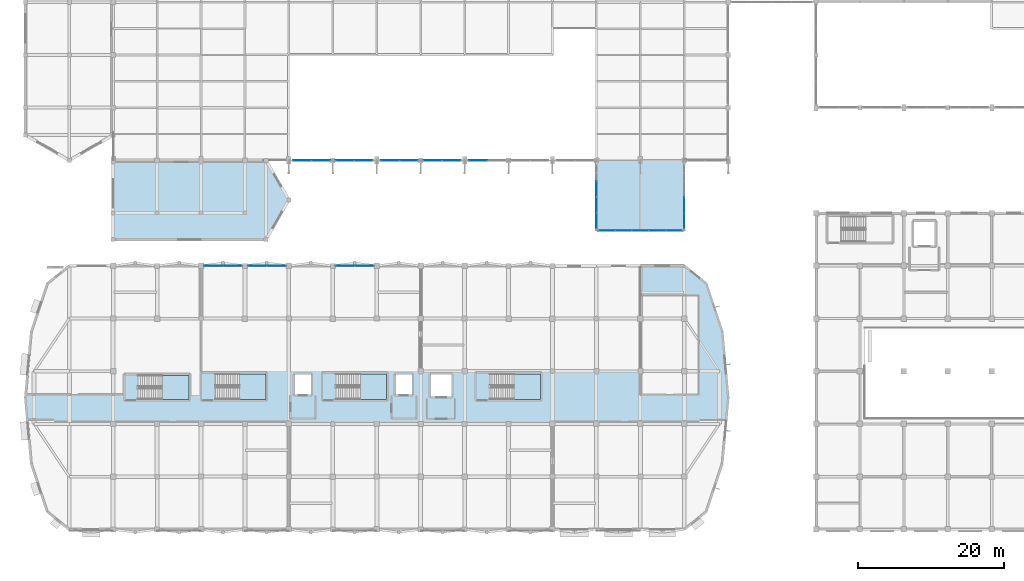
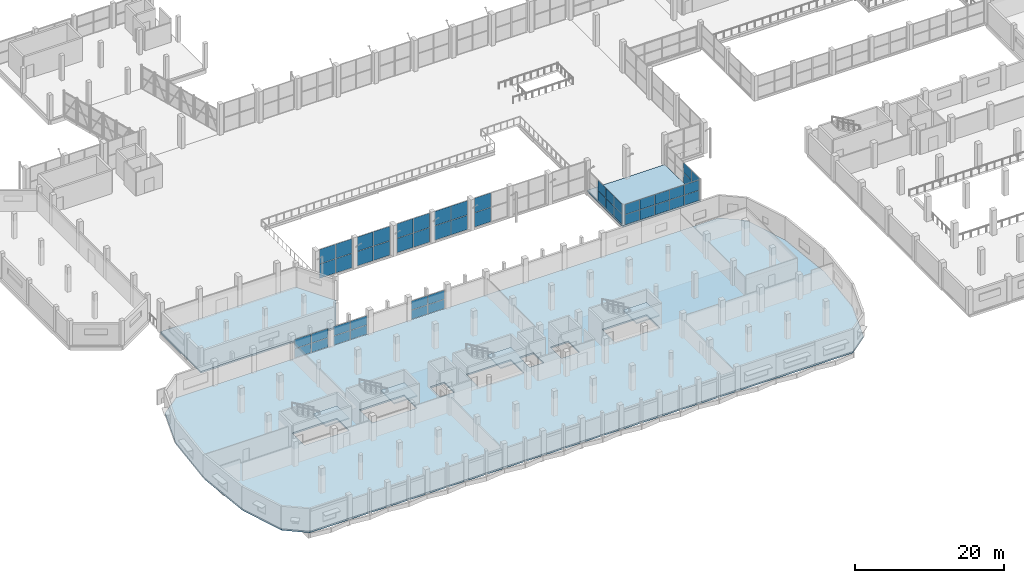
# One storey, part 94 of 127: 50 plates, 7 slabs, 15 elements without a shape of their own.
"""IFC4 building model written with IfcOpenShell, lengths in metres."""

from ifc_helpers import new_model, si_unit, direction, frame, origin, origin_2d, place, context, subcontext, project, spatial, polyline, rectangle, outline, extrude, material, layer, layer_set, type_object, element, aggregate, save


model = new_model("IFC4")

# Units and contexts
model_context = context("Model", 3, precision=1e-05, world=origin(), true_north=direction((0.0, 1.0)))
body_context = subcontext(model_context, "Body", "Model", "MODEL_VIEW")
ifc_project = project(units=[si_unit("LENGTHUNIT", "METRE"), si_unit("AREAUNIT", "SQUARE_METRE"), si_unit("VOLUMEUNIT", "CUBIC_METRE"), si_unit("PLANEANGLEUNIT", "RADIAN"), si_unit("MASSUNIT", "GRAM", prefix="KILO")], contexts=[model_context])

# Site, building, storey
site_placement = place(None, origin())
site = spatial("IfcSite", under=ifc_project, at=site_placement, CompositionType="ELEMENT")
building_placement = place(site_placement, origin())
building = spatial("IfcBuilding", under=site, at=building_placement, Name="Dunvalen Ferry Terminal", CompositionType="ELEMENT")
storey_placement = place(building_placement, frame((0.0, 0.0, 5.760009765625)))
storey = spatial("IfcBuildingStorey", under=building, at=storey_placement, Name="L01", CompositionType="ELEMENT", Elevation=5.760009765625)

# Curtain wall, plates
ifc_material_1 = material(Name="Anodised marine aluminium and solar-control glazing", Category="aluminium")
ifc_layer_1 = layer(ifc_material_1, 0.219970703125, Name="Anodised marine aluminium and solar-control glazing")
ifc_layer_set_1 = layer_set([ifc_layer_1], Name="Anodised marine aluminium and solar-control glazing")
curtain_wall_type_1 = type_object("IfcCurtainWallType", Name="ENV-CW-SYS-02", PredefinedType="NOTDEFINED", material=ifc_layer_set_1)
curtain_wall_1_placement = place(storey_placement, origin())
curtain_wall_1 = element("IfcCurtainWall", 1, at=curtain_wall_1_placement, inside=storey, type_object=curtain_wall_type_1, Name="L01 Curtain Wall CW-V1S-L01-01", PredefinedType="NOTDEFINED")
ifc_material_2 = material(Name="Low-E solar-control laminated double glazing", Category="glass")
ifc_layer_2 = layer(ifc_material_2, 0.031982421875, Name="Low-E solar-control laminated double glazing")
ifc_layer_set_2 = layer_set([ifc_layer_2], Name="Low-E solar-control laminated double glazing")
plate_type_1 = type_object("IfcPlateType", Name="ENV-CW-PNL-2", PredefinedType="CURTAIN_PANEL", material=ifc_layer_set_2)
plate_1_placement = place(storey_placement, frame((37.808837890625, 50.39990234375, 0.079833984375), z_axis=(0.0, 0.0, 1.0), x_axis=(1.0, 0.0, 0.0)))
plate_1 = element("IfcPlate", 2, at=plate_1_placement, type_object=plate_type_1, Name="CW-02 panel 1.1", PredefinedType="CURTAIN_PANEL", context=body_context, shape_type="SweptSolid", body=[
    extrude(rectangle(XDim=2.49755859375, YDim=0.031982421875, at=origin_2d()), origin(), (0.0, 0.0, 1.0), 2.330078125),
])
plate_2_placement = place(storey_placement, frame((37.808837890625, 50.39990234375, 2.469970703125), z_axis=(0.0, 0.0, 1.0), x_axis=(1.0, 0.0, 0.0)))
plate_2 = element("IfcPlate", 3, at=plate_2_placement, type_object=plate_type_1, Name="CW-02 panel 1.2", PredefinedType="CURTAIN_PANEL", context=body_context, shape_type="SweptSolid", body=[
    extrude(rectangle(XDim=2.49755859375, YDim=0.031982421875, at=origin_2d()), origin(), (0.0, 0.0, 1.0), 2.330078125),
])
plate_3_placement = place(storey_placement, frame((40.3662109375, 50.39990234375, 0.079833984375), z_axis=(0.0, 0.0, 1.0), x_axis=(1.0, 0.0, 0.0)))
plate_3 = element("IfcPlate", 4, at=plate_3_placement, type_object=plate_type_1, Name="CW-02 panel 2.1", PredefinedType="CURTAIN_PANEL", context=body_context, shape_type="SweptSolid", body=[
    extrude(rectangle(XDim=2.49755859375, YDim=0.031982421875, at=origin_2d()), origin(), (0.0, 0.0, 1.0), 2.330078125),
])
plate_4_placement = place(storey_placement, frame((40.3662109375, 50.39990234375, 2.469970703125), z_axis=(0.0, 0.0, 1.0), x_axis=(1.0, 0.0, 0.0)))
plate_4 = element("IfcPlate", 5, at=plate_4_placement, type_object=plate_type_1, Name="CW-02 panel 2.2", PredefinedType="CURTAIN_PANEL", context=body_context, shape_type="SweptSolid", body=[
    extrude(rectangle(XDim=2.49755859375, YDim=0.031982421875, at=origin_2d()), origin(), (0.0, 0.0, 1.0), 2.330078125),
])
aggregate(curtain_wall_1, [plate_1, plate_2, plate_3, plate_4])

curtain_wall_2_placement = place(storey_placement, origin())
curtain_wall_2 = element("IfcCurtainWall", 6, at=curtain_wall_2_placement, inside=storey, type_object=curtain_wall_type_1, Name="L01 Curtain Wall CW-V1S-L01-02", PredefinedType="NOTDEFINED")
plate_5_placement = place(storey_placement, frame((43.6337890625, 50.39990234375, 0.079833984375), z_axis=(0.0, 0.0, 1.0), x_axis=(1.0, 0.0, 0.0)))
plate_5 = element("IfcPlate", 7, at=plate_5_placement, type_object=plate_type_1, Name="CW-02 panel 1.1", PredefinedType="CURTAIN_PANEL", context=body_context, shape_type="SweptSolid", body=[
    extrude(rectangle(XDim=2.49755859375, YDim=0.031982421875, at=origin_2d()), origin(), (0.0, 0.0, 1.0), 2.330078125),
])
plate_6_placement = place(storey_placement, frame((43.6337890625, 50.39990234375, 2.469970703125), z_axis=(0.0, 0.0, 1.0), x_axis=(1.0, 0.0, 0.0)))
plate_6 = element("IfcPlate", 8, at=plate_6_placement, type_object=plate_type_1, Name="CW-02 panel 1.2", PredefinedType="CURTAIN_PANEL", context=body_context, shape_type="SweptSolid", body=[
    extrude(rectangle(XDim=2.49755859375, YDim=0.031982421875, at=origin_2d()), origin(), (0.0, 0.0, 1.0), 2.330078125),
])
plate_7_placement = place(storey_placement, frame((46.191162109375, 50.39990234375, 0.079833984375), z_axis=(0.0, 0.0, 1.0), x_axis=(1.0, 0.0, 0.0)))
plate_7 = element("IfcPlate", 9, at=plate_7_placement, type_object=plate_type_1, Name="CW-02 panel 2.1", PredefinedType="CURTAIN_PANEL", context=body_context, shape_type="SweptSolid", body=[
    extrude(rectangle(XDim=2.49755859375, YDim=0.031982421875, at=origin_2d()), origin(), (0.0, 0.0, 1.0), 2.330078125),
])
plate_8_placement = place(storey_placement, frame((46.191162109375, 50.39990234375, 2.469970703125), z_axis=(0.0, 0.0, 1.0), x_axis=(1.0, 0.0, 0.0)))
plate_8 = element("IfcPlate", 10, at=plate_8_placement, type_object=plate_type_1, Name="CW-02 panel 2.2", PredefinedType="CURTAIN_PANEL", context=body_context, shape_type="SweptSolid", body=[
    extrude(rectangle(XDim=2.49755859375, YDim=0.031982421875, at=origin_2d()), origin(), (0.0, 0.0, 1.0), 2.330078125),
])
aggregate(curtain_wall_2, [plate_5, plate_6, plate_7, plate_8])

curtain_wall_3_placement = place(storey_placement, origin())
curtain_wall_3 = element("IfcCurtainWall", 11, at=curtain_wall_3_placement, inside=storey, type_object=curtain_wall_type_1, Name="L01 Curtain Wall CW-V1S-L01-03", PredefinedType="NOTDEFINED")
plate_9_placement = place(storey_placement, frame((49.808837890625, 50.39990234375, 0.079833984375), z_axis=(0.0, 0.0, 1.0), x_axis=(1.0, 0.0, 0.0)))
plate_9 = element("IfcPlate", 12, at=plate_9_placement, type_object=plate_type_1, Name="CW-02 panel 1.1", PredefinedType="CURTAIN_PANEL", context=body_context, shape_type="SweptSolid", body=[
    extrude(rectangle(XDim=2.49755859375, YDim=0.031982421875, at=origin_2d()), origin(), (0.0, 0.0, 1.0), 2.330078125),
])
plate_10_placement = place(storey_placement, frame((49.808837890625, 50.39990234375, 2.469970703125), z_axis=(0.0, 0.0, 1.0), x_axis=(1.0, 0.0, 0.0)))
plate_10 = element("IfcPlate", 13, at=plate_10_placement, type_object=plate_type_1, Name="CW-02 panel 1.2", PredefinedType="CURTAIN_PANEL", context=body_context, shape_type="SweptSolid", body=[
    extrude(rectangle(XDim=2.49755859375, YDim=0.031982421875, at=origin_2d()), origin(), (0.0, 0.0, 1.0), 2.330078125),
])
plate_11_placement = place(storey_placement, frame((52.3662109375, 50.39990234375, 0.079833984375), z_axis=(0.0, 0.0, 1.0), x_axis=(1.0, 0.0, 0.0)))
plate_11 = element("IfcPlate", 14, at=plate_11_placement, type_object=plate_type_1, Name="CW-02 panel 2.1", PredefinedType="CURTAIN_PANEL", context=body_context, shape_type="SweptSolid", body=[
    extrude(rectangle(XDim=2.49755859375, YDim=0.031982421875, at=origin_2d()), origin(), (0.0, 0.0, 1.0), 2.330078125),
])
plate_12_placement = place(storey_placement, frame((52.3662109375, 50.39990234375, 2.469970703125), z_axis=(0.0, 0.0, 1.0), x_axis=(1.0, 0.0, 0.0)))
plate_12 = element("IfcPlate", 15, at=plate_12_placement, type_object=plate_type_1, Name="CW-02 panel 2.2", PredefinedType="CURTAIN_PANEL", context=body_context, shape_type="SweptSolid", body=[
    extrude(rectangle(XDim=2.49755859375, YDim=0.031982421875, at=origin_2d()), origin(), (0.0, 0.0, 1.0), 2.330078125),
])
aggregate(curtain_wall_3, [plate_9, plate_10, plate_11, plate_12])

curtain_wall_4_placement = place(storey_placement, origin())
curtain_wall_4 = element("IfcCurtainWall", 16, at=curtain_wall_4_placement, inside=storey, type_object=curtain_wall_type_1, Name="L01 Curtain Wall CW-V1S-L01-04", PredefinedType="NOTDEFINED")
plate_13_placement = place(storey_placement, frame((55.6337890625, 50.39990234375, 0.079833984375), z_axis=(0.0, 0.0, 1.0), x_axis=(1.0, 0.0, 0.0)))
plate_13 = element("IfcPlate", 17, at=plate_13_placement, type_object=plate_type_1, Name="CW-02 panel 1.1", PredefinedType="CURTAIN_PANEL", context=body_context, shape_type="SweptSolid", body=[
    extrude(rectangle(XDim=2.49755859375, YDim=0.031982421875, at=origin_2d()), origin(), (0.0, 0.0, 1.0), 2.330078125),
])
plate_14_placement = place(storey_placement, frame((55.6337890625, 50.39990234375, 2.469970703125), z_axis=(0.0, 0.0, 1.0), x_axis=(1.0, 0.0, 0.0)))
plate_14 = element("IfcPlate", 18, at=plate_14_placement, type_object=plate_type_1, Name="CW-02 panel 1.2", PredefinedType="CURTAIN_PANEL", context=body_context, shape_type="SweptSolid", body=[
    extrude(rectangle(XDim=2.49755859375, YDim=0.031982421875, at=origin_2d()), origin(), (0.0, 0.0, 1.0), 2.330078125),
])
plate_15_placement = place(storey_placement, frame((58.191162109375, 50.39990234375, 0.079833984375), z_axis=(0.0, 0.0, 1.0), x_axis=(1.0, 0.0, 0.0)))
plate_15 = element("IfcPlate", 19, at=plate_15_placement, type_object=plate_type_1, Name="CW-02 panel 2.1", PredefinedType="CURTAIN_PANEL", context=body_context, shape_type="SweptSolid", body=[
    extrude(rectangle(XDim=2.49755859375, YDim=0.031982421875, at=origin_2d()), origin(), (0.0, 0.0, 1.0), 2.330078125),
])
plate_16_placement = place(storey_placement, frame((58.191162109375, 50.39990234375, 2.469970703125), z_axis=(0.0, 0.0, 1.0), x_axis=(1.0, 0.0, 0.0)))
plate_16 = element("IfcPlate", 20, at=plate_16_placement, type_object=plate_type_1, Name="CW-02 panel 2.2", PredefinedType="CURTAIN_PANEL", context=body_context, shape_type="SweptSolid", body=[
    extrude(rectangle(XDim=2.49755859375, YDim=0.031982421875, at=origin_2d()), origin(), (0.0, 0.0, 1.0), 2.330078125),
])
aggregate(curtain_wall_4, [plate_13, plate_14, plate_15, plate_16])

curtain_wall_5_placement = place(storey_placement, origin())
curtain_wall_5 = element("IfcCurtainWall", 21, at=curtain_wall_5_placement, inside=storey, type_object=curtain_wall_type_1, Name="L01 Curtain Wall CW-V1S-L01-05", PredefinedType="NOTDEFINED")
plate_17_placement = place(storey_placement, frame((61.808837890625, 50.39990234375, 0.079833984375), z_axis=(0.0, 0.0, 1.0), x_axis=(1.0, 0.0, 0.0)))
plate_17 = element("IfcPlate", 22, at=plate_17_placement, type_object=plate_type_1, Name="CW-02 panel 1.1", PredefinedType="CURTAIN_PANEL", context=body_context, shape_type="SweptSolid", body=[
    extrude(rectangle(XDim=2.49755859375, YDim=0.031982421875, at=origin_2d()), origin(), (0.0, 0.0, 1.0), 2.330078125),
])
plate_18_placement = place(storey_placement, frame((61.808837890625, 50.39990234375, 2.469970703125), z_axis=(0.0, 0.0, 1.0), x_axis=(1.0, 0.0, 0.0)))
plate_18 = element("IfcPlate", 23, at=plate_18_placement, type_object=plate_type_1, Name="CW-02 panel 1.2", PredefinedType="CURTAIN_PANEL", context=body_context, shape_type="SweptSolid", body=[
    extrude(rectangle(XDim=2.49755859375, YDim=0.031982421875, at=origin_2d()), origin(), (0.0, 0.0, 1.0), 2.330078125),
])
aggregate(curtain_wall_5, [plate_17, plate_18])

ifc_layer_3 = layer(ifc_material_1, 0.14990234375, Name="Anodised marine aluminium and solar-control glazing")
ifc_layer_set_3 = layer_set([ifc_layer_3], Name="Anodised marine aluminium and solar-control glazing")
curtain_wall_type_2 = type_object("IfcCurtainWallType", Name="ENV-CW-SYS-11", PredefinedType="NOTDEFINED", material=ifc_layer_set_3)
curtain_wall_6_placement = place(storey_placement, origin())
curtain_wall_6 = element("IfcCurtainWall", 24, at=curtain_wall_6_placement, inside=storey, type_object=curtain_wall_type_2, Name="L01 Curtain Wall CW-V5CORE-L01-7-7", PredefinedType="NOTDEFINED")
plate_19_placement = place(storey_placement, frame((46.30615234375, 36.0, 0.05517578125), z_axis=(0.0, 0.0, 1.0), x_axis=(-1.0, 0.0, 0.0)))
plate_19 = element("IfcPlate", 25, at=plate_19_placement, type_object=plate_type_1, Name="CW-11 panel 1.1", PredefinedType="CURTAIN_PANEL", context=body_context, shape_type="SweptSolid", body=[
    extrude(rectangle(XDim=2.5576171875, YDim=0.031982421875, at=origin_2d()), origin(), (0.0, 0.0, 1.0), 1.472412109375),
])
plate_20_placement = place(storey_placement, frame((46.30615234375, 36.0, 1.58251953125), z_axis=(0.0, 0.0, 1.0), x_axis=(-1.0, 0.0, 0.0)))
plate_20 = element("IfcPlate", 26, at=plate_20_placement, type_object=plate_type_1, Name="CW-11 panel 1.2", PredefinedType="CURTAIN_PANEL", context=body_context, shape_type="SweptSolid", body=[
    extrude(rectangle(XDim=2.5576171875, YDim=0.031982421875, at=origin_2d()), origin(), (0.0, 0.0, 1.0), 1.472412109375),
])
plate_21_placement = place(storey_placement, frame((43.69384765625, 36.0, 0.05517578125), z_axis=(0.0, 0.0, 1.0), x_axis=(-1.0, 0.0, 0.0)))
plate_21 = element("IfcPlate", 27, at=plate_21_placement, type_object=plate_type_1, Name="CW-11 panel 2.1", PredefinedType="CURTAIN_PANEL", context=body_context, shape_type="SweptSolid", body=[
    extrude(rectangle(XDim=2.5576171875, YDim=0.031982421875, at=origin_2d()), origin(), (0.0, 0.0, 1.0), 1.472412109375),
])
plate_22_placement = place(storey_placement, frame((43.69384765625, 36.0, 1.58251953125), z_axis=(0.0, 0.0, 1.0), x_axis=(-1.0, 0.0, 0.0)))
plate_22 = element("IfcPlate", 28, at=plate_22_placement, type_object=plate_type_1, Name="CW-11 panel 2.2", PredefinedType="CURTAIN_PANEL", context=body_context, shape_type="SweptSolid", body=[
    extrude(rectangle(XDim=2.5576171875, YDim=0.031982421875, at=origin_2d()), origin(), (0.0, 0.0, 1.0), 1.472412109375),
])
aggregate(curtain_wall_6, [plate_19, plate_20, plate_21, plate_22])

curtain_wall_7_placement = place(storey_placement, origin())
curtain_wall_7 = element("IfcCurtainWall", 29, at=curtain_wall_7_placement, inside=storey, type_object=curtain_wall_type_2, Name="L01 Curtain Wall CW-V5CORE-L01-7-9", PredefinedType="NOTDEFINED")
plate_23_placement = place(storey_placement, frame((34.30615234375, 36.0, 0.05517578125), z_axis=(0.0, 0.0, 1.0), x_axis=(-1.0, 0.0, 0.0)))
plate_23 = element("IfcPlate", 30, at=plate_23_placement, type_object=plate_type_1, Name="CW-11 panel 1.1", PredefinedType="CURTAIN_PANEL", context=body_context, shape_type="SweptSolid", body=[
    extrude(rectangle(XDim=2.5576171875, YDim=0.031982421875, at=origin_2d()), origin(), (0.0, 0.0, 1.0), 1.472412109375),
])
plate_24_placement = place(storey_placement, frame((34.30615234375, 36.0, 1.58251953125), z_axis=(0.0, 0.0, 1.0), x_axis=(-1.0, 0.0, 0.0)))
plate_24 = element("IfcPlate", 31, at=plate_24_placement, type_object=plate_type_1, Name="CW-11 panel 1.2", PredefinedType="CURTAIN_PANEL", context=body_context, shape_type="SweptSolid", body=[
    extrude(rectangle(XDim=2.5576171875, YDim=0.031982421875, at=origin_2d()), origin(), (0.0, 0.0, 1.0), 1.472412109375),
])
plate_25_placement = place(storey_placement, frame((31.69384765625, 36.0, 0.05517578125), z_axis=(0.0, 0.0, 1.0), x_axis=(-1.0, 0.0, 0.0)))
plate_25 = element("IfcPlate", 32, at=plate_25_placement, type_object=plate_type_1, Name="CW-11 panel 2.1", PredefinedType="CURTAIN_PANEL", context=body_context, shape_type="SweptSolid", body=[
    extrude(rectangle(XDim=2.5576171875, YDim=0.031982421875, at=origin_2d()), origin(), (0.0, 0.0, 1.0), 1.472412109375),
])
plate_26_placement = place(storey_placement, frame((31.69384765625, 36.0, 1.58251953125), z_axis=(0.0, 0.0, 1.0), x_axis=(-1.0, 0.0, 0.0)))
plate_26 = element("IfcPlate", 33, at=plate_26_placement, type_object=plate_type_1, Name="CW-11 panel 2.2", PredefinedType="CURTAIN_PANEL", context=body_context, shape_type="SweptSolid", body=[
    extrude(rectangle(XDim=2.5576171875, YDim=0.031982421875, at=origin_2d()), origin(), (0.0, 0.0, 1.0), 1.472412109375),
])
aggregate(curtain_wall_7, [plate_23, plate_24, plate_25, plate_26])

curtain_wall_8_placement = place(storey_placement, origin())
curtain_wall_8 = element("IfcCurtainWall", 34, at=curtain_wall_8_placement, inside=storey, type_object=curtain_wall_type_2, Name="L01 Curtain Wall CW-V5CORE-L01-7-10", PredefinedType="NOTDEFINED")
plate_27_placement = place(storey_placement, frame((28.30615234375, 36.0, 0.05517578125), z_axis=(0.0, 0.0, 1.0), x_axis=(-1.0, 0.0, 0.0)))
plate_27 = element("IfcPlate", 35, at=plate_27_placement, type_object=plate_type_1, Name="CW-11 panel 1.1", PredefinedType="CURTAIN_PANEL", context=body_context, shape_type="SweptSolid", body=[
    extrude(rectangle(XDim=2.5576171875, YDim=0.031982421875, at=origin_2d()), origin(), (0.0, 0.0, 1.0), 1.472412109375),
])
plate_28_placement = place(storey_placement, frame((28.30615234375, 36.0, 1.58251953125), z_axis=(0.0, 0.0, 1.0), x_axis=(-1.0, 0.0, 0.0)))
plate_28 = element("IfcPlate", 36, at=plate_28_placement, type_object=plate_type_1, Name="CW-11 panel 1.2", PredefinedType="CURTAIN_PANEL", context=body_context, shape_type="SweptSolid", body=[
    extrude(rectangle(XDim=2.5576171875, YDim=0.031982421875, at=origin_2d()), origin(), (0.0, 0.0, 1.0), 1.472412109375),
])
plate_29_placement = place(storey_placement, frame((25.69384765625, 36.0, 0.05517578125), z_axis=(0.0, 0.0, 1.0), x_axis=(-1.0, 0.0, 0.0)))
plate_29 = element("IfcPlate", 37, at=plate_29_placement, type_object=plate_type_1, Name="CW-11 panel 2.1", PredefinedType="CURTAIN_PANEL", context=body_context, shape_type="SweptSolid", body=[
    extrude(rectangle(XDim=2.5576171875, YDim=0.031982421875, at=origin_2d()), origin(), (0.0, 0.0, 1.0), 1.472412109375),
])
plate_30_placement = place(storey_placement, frame((25.69384765625, 36.0, 1.58251953125), z_axis=(0.0, 0.0, 1.0), x_axis=(-1.0, 0.0, 0.0)))
plate_30 = element("IfcPlate", 38, at=plate_30_placement, type_object=plate_type_1, Name="CW-11 panel 2.2", PredefinedType="CURTAIN_PANEL", context=body_context, shape_type="SweptSolid", body=[
    extrude(rectangle(XDim=2.5576171875, YDim=0.031982421875, at=origin_2d()), origin(), (0.0, 0.0, 1.0), 1.472412109375),
])
aggregate(curtain_wall_8, [plate_27, plate_28, plate_29, plate_30])

ifc_layer_4 = layer(ifc_material_1, 0.159912109375, Name="Anodised marine aluminium and solar-control glazing")
ifc_layer_set_4 = layer_set([ifc_layer_4], Name="Anodised marine aluminium and solar-control glazing")
curtain_wall_type_3 = type_object("IfcCurtainWallType", Name="ENV-CW-SYS-10", PredefinedType="NOTDEFINED", material=ifc_layer_set_4)
curtain_wall_9_placement = place(storey_placement, origin())
curtain_wall_9 = element("IfcCurtainWall", 39, at=curtain_wall_9_placement, inside=storey, type_object=curtain_wall_type_3, Name="L01 Curtain Wall CW-LNK51-1", PredefinedType="NOTDEFINED")
ifc_layer_5 = layer(ifc_material_2, 0.035888671875, Name="Low-E solar-control laminated double glazing")
ifc_layer_set_5 = layer_set([ifc_layer_5], Name="Low-E solar-control laminated double glazing")
plate_type_2 = type_object("IfcPlateType", Name="ENV-CW-PNL-3", PredefinedType="CURTAIN_PANEL", material=ifc_layer_set_5)
plate_31_placement = place(storey_placement, frame((78.0, 42.152587890625, 0.06005859375), z_axis=(0.0, 0.0, 1.0), x_axis=(0.0, 1.0, 0.0)))
plate_31 = element("IfcPlate", 40, at=plate_31_placement, type_object=plate_type_2, Name="CW-10 panel 1.1", PredefinedType="CURTAIN_PANEL", context=body_context, shape_type="SweptSolid", body=[
    extrude(rectangle(XDim=2.0849609375, YDim=0.035888671875, at=origin_2d()), origin(), (0.0, 0.0, 1.0), 1.6298828125),
])
plate_32_placement = place(storey_placement, frame((78.0, 42.152587890625, 1.75), z_axis=(0.0, 0.0, 1.0), x_axis=(0.0, 1.0, 0.0)))
plate_32 = element("IfcPlate", 41, at=plate_32_placement, type_object=plate_type_2, Name="CW-10 panel 1.2", PredefinedType="CURTAIN_PANEL", context=body_context, shape_type="SweptSolid", body=[
    extrude(rectangle(XDim=2.0849609375, YDim=0.035888671875, at=origin_2d()), origin(), (0.0, 0.0, 1.0), 1.6298828125),
])
plate_33_placement = place(storey_placement, frame((78.0, 44.3125, 0.06005859375), z_axis=(0.0, 0.0, 1.0), x_axis=(0.0, 1.0, 0.0)))
plate_33 = element("IfcPlate", 42, at=plate_33_placement, type_object=plate_type_2, Name="CW-10 panel 2.1", PredefinedType="CURTAIN_PANEL", context=body_context, shape_type="SweptSolid", body=[
    extrude(rectangle(XDim=2.114990234375, YDim=0.035888671875, at=origin_2d()), origin(), (0.0, 0.0, 1.0), 1.6298828125),
])
plate_34_placement = place(storey_placement, frame((78.0, 44.3125, 1.75), z_axis=(0.0, 0.0, 1.0), x_axis=(0.0, 1.0, 0.0)))
plate_34 = element("IfcPlate", 43, at=plate_34_placement, type_object=plate_type_2, Name="CW-10 panel 2.2", PredefinedType="CURTAIN_PANEL", context=body_context, shape_type="SweptSolid", body=[
    extrude(rectangle(XDim=2.114990234375, YDim=0.035888671875, at=origin_2d()), origin(), (0.0, 0.0, 1.0), 1.6298828125),
])
plate_35_placement = place(storey_placement, frame((78.0, 46.487548828125, 0.06005859375), z_axis=(0.0, 0.0, 1.0), x_axis=(0.0, 1.0, 0.0)))
plate_35 = element("IfcPlate", 44, at=plate_35_placement, type_object=plate_type_2, Name="CW-10 panel 3.1", PredefinedType="CURTAIN_PANEL", context=body_context, shape_type="SweptSolid", body=[
    extrude(rectangle(XDim=2.114990234375, YDim=0.035888671875, at=origin_2d()), origin(), (0.0, 0.0, 1.0), 1.6298828125),
])
plate_36_placement = place(storey_placement, frame((78.0, 46.487548828125, 1.75), z_axis=(0.0, 0.0, 1.0), x_axis=(0.0, 1.0, 0.0)))
plate_36 = element("IfcPlate", 45, at=plate_36_placement, type_object=plate_type_2, Name="CW-10 panel 3.2", PredefinedType="CURTAIN_PANEL", context=body_context, shape_type="SweptSolid", body=[
    extrude(rectangle(XDim=2.114990234375, YDim=0.035888671875, at=origin_2d()), origin(), (0.0, 0.0, 1.0), 1.6298828125),
])
aggregate(curtain_wall_9, [plate_31, plate_32, plate_33, plate_34, plate_35, plate_36])

curtain_wall_10_placement = place(storey_placement, origin())
curtain_wall_10 = element("IfcCurtainWall", 46, at=curtain_wall_10_placement, inside=storey, type_object=curtain_wall_type_3, Name="L01 Curtain Wall CW-LNK51-2", PredefinedType="NOTDEFINED")
plate_37_placement = place(storey_placement, frame((90.0, 42.152587890625, 0.06005859375), z_axis=(0.0, 0.0, 1.0), x_axis=(0.0, 1.0, 0.0)))
plate_37 = element("IfcPlate", 47, at=plate_37_placement, type_object=plate_type_2, Name="CW-10 panel 1.1", PredefinedType="CURTAIN_PANEL", context=body_context, shape_type="SweptSolid", body=[
    extrude(rectangle(XDim=2.0849609375, YDim=0.035888671875, at=origin_2d()), origin(), (0.0, 0.0, 1.0), 1.6298828125),
])
plate_38_placement = place(storey_placement, frame((90.0, 42.152587890625, 1.75), z_axis=(0.0, 0.0, 1.0), x_axis=(0.0, 1.0, 0.0)))
plate_38 = element("IfcPlate", 48, at=plate_38_placement, type_object=plate_type_2, Name="CW-10 panel 1.2", PredefinedType="CURTAIN_PANEL", context=body_context, shape_type="SweptSolid", body=[
    extrude(rectangle(XDim=2.0849609375, YDim=0.035888671875, at=origin_2d()), origin(), (0.0, 0.0, 1.0), 1.6298828125),
])
plate_39_placement = place(storey_placement, frame((90.0, 44.3125, 0.06005859375), z_axis=(0.0, 0.0, 1.0), x_axis=(0.0, 1.0, 0.0)))
plate_39 = element("IfcPlate", 49, at=plate_39_placement, type_object=plate_type_2, Name="CW-10 panel 2.1", PredefinedType="CURTAIN_PANEL", context=body_context, shape_type="SweptSolid", body=[
    extrude(rectangle(XDim=2.114990234375, YDim=0.035888671875, at=origin_2d()), origin(), (0.0, 0.0, 1.0), 1.6298828125),
])
plate_40_placement = place(storey_placement, frame((90.0, 44.3125, 1.75), z_axis=(0.0, 0.0, 1.0), x_axis=(0.0, 1.0, 0.0)))
plate_40 = element("IfcPlate", 50, at=plate_40_placement, type_object=plate_type_2, Name="CW-10 panel 2.2", PredefinedType="CURTAIN_PANEL", context=body_context, shape_type="SweptSolid", body=[
    extrude(rectangle(XDim=2.114990234375, YDim=0.035888671875, at=origin_2d()), origin(), (0.0, 0.0, 1.0), 1.6298828125),
])
aggregate(curtain_wall_10, [plate_37, plate_38, plate_39, plate_40])

ifc_layer_6 = layer(ifc_material_1, 0.159912109375, Name="Anodised marine aluminium and solar-control glazing")
ifc_layer_set_6 = layer_set([ifc_layer_6], Name="Anodised marine aluminium and solar-control glazing")
curtain_wall_type_4 = type_object("IfcCurtainWallType", Name="ENV-CW-SYS-09", PredefinedType="NOTDEFINED", material=ifc_layer_set_6)
curtain_wall_11_placement = place(storey_placement, origin())
curtain_wall_11 = element("IfcCurtainWall", 51, at=curtain_wall_11_placement, inside=storey, type_object=curtain_wall_type_4, Name="L01 Curtain Wall CW-LNK51-S", PredefinedType="NOTDEFINED")
ifc_layer_7 = layer(ifc_material_2, 0.0400390625, Name="Low-E solar-control laminated double glazing")
ifc_layer_set_7 = layer_set([ifc_layer_7], Name="Low-E solar-control laminated double glazing")
plate_type_3 = type_object("IfcPlateType", Name="ENV-CW-PNL-4", PredefinedType="CURTAIN_PANEL", material=ifc_layer_set_7)
plate_41_placement = place(storey_placement, frame((79.4150390625, 40.800048828125, 0.06005859375), z_axis=(0.0, 0.0, 1.0), x_axis=(1.0, 0.0, 0.0)))
plate_41 = element("IfcPlate", 52, at=plate_41_placement, type_object=plate_type_3, Name="CW-09 panel 1.1", PredefinedType="CURTAIN_PANEL", context=body_context, shape_type="SweptSolid", body=[
    extrude(rectangle(XDim=2.2099609375, YDim=0.0400390625, at=origin_2d()), origin(), (0.0, 0.0, 1.0), 1.6298828125),
])
plate_42_placement = place(storey_placement, frame((79.4150390625, 40.800048828125, 1.75), z_axis=(0.0, 0.0, 1.0), x_axis=(1.0, 0.0, 0.0)))
plate_42 = element("IfcPlate", 53, at=plate_42_placement, type_object=plate_type_3, Name="CW-09 panel 1.2", PredefinedType="CURTAIN_PANEL", context=body_context, shape_type="SweptSolid", body=[
    extrude(rectangle(XDim=2.2099609375, YDim=0.0400390625, at=origin_2d()), origin(), (0.0, 0.0, 1.0), 1.6298828125),
])
plate_43_placement = place(storey_placement, frame((81.699951171875, 40.800048828125, 0.06005859375), z_axis=(0.0, 0.0, 1.0), x_axis=(1.0, 0.0, 0.0)))
plate_43 = element("IfcPlate", 54, at=plate_43_placement, type_object=plate_type_3, Name="CW-09 panel 2.1", PredefinedType="CURTAIN_PANEL", context=body_context, shape_type="SweptSolid", body=[
    extrude(rectangle(XDim=2.239990234375, YDim=0.0400390625, at=origin_2d()), origin(), (0.0, 0.0, 1.0), 1.6298828125),
])
plate_44_placement = place(storey_placement, frame((81.699951171875, 40.800048828125, 1.75), z_axis=(0.0, 0.0, 1.0), x_axis=(1.0, 0.0, 0.0)))
plate_44 = element("IfcPlate", 55, at=plate_44_placement, type_object=plate_type_3, Name="CW-09 panel 2.2", PredefinedType="CURTAIN_PANEL", context=body_context, shape_type="SweptSolid", body=[
    extrude(rectangle(XDim=2.239990234375, YDim=0.0400390625, at=origin_2d()), origin(), (0.0, 0.0, 1.0), 1.6298828125),
])
plate_45_placement = place(storey_placement, frame((84.0, 40.800048828125, 0.06005859375), z_axis=(0.0, 0.0, 1.0), x_axis=(1.0, 0.0, 0.0)))
plate_45 = element("IfcPlate", 56, at=plate_45_placement, type_object=plate_type_3, Name="CW-09 panel 3.1", PredefinedType="CURTAIN_PANEL", context=body_context, shape_type="SweptSolid", body=[
    extrude(rectangle(XDim=2.239990234375, YDim=0.0400390625, at=origin_2d()), origin(), (0.0, 0.0, 1.0), 1.6298828125),
])
plate_46_placement = place(storey_placement, frame((84.0, 40.800048828125, 1.75), z_axis=(0.0, 0.0, 1.0), x_axis=(1.0, 0.0, 0.0)))
plate_46 = element("IfcPlate", 57, at=plate_46_placement, type_object=plate_type_3, Name="CW-09 panel 3.2", PredefinedType="CURTAIN_PANEL", context=body_context, shape_type="SweptSolid", body=[
    extrude(rectangle(XDim=2.239990234375, YDim=0.0400390625, at=origin_2d()), origin(), (0.0, 0.0, 1.0), 1.6298828125),
])
plate_47_placement = place(storey_placement, frame((86.300048828125, 40.800048828125, 0.06005859375), z_axis=(0.0, 0.0, 1.0), x_axis=(1.0, 0.0, 0.0)))
plate_47 = element("IfcPlate", 58, at=plate_47_placement, type_object=plate_type_3, Name="CW-09 panel 4.1", PredefinedType="CURTAIN_PANEL", context=body_context, shape_type="SweptSolid", body=[
    extrude(rectangle(XDim=2.239990234375, YDim=0.0400390625, at=origin_2d()), origin(), (0.0, 0.0, 1.0), 1.6298828125),
])
plate_48_placement = place(storey_placement, frame((86.300048828125, 40.800048828125, 1.75), z_axis=(0.0, 0.0, 1.0), x_axis=(1.0, 0.0, 0.0)))
plate_48 = element("IfcPlate", 59, at=plate_48_placement, type_object=plate_type_3, Name="CW-09 panel 4.2", PredefinedType="CURTAIN_PANEL", context=body_context, shape_type="SweptSolid", body=[
    extrude(rectangle(XDim=2.239990234375, YDim=0.0400390625, at=origin_2d()), origin(), (0.0, 0.0, 1.0), 1.6298828125),
])
plate_49_placement = place(storey_placement, frame((88.5849609375, 40.800048828125, 0.06005859375), z_axis=(0.0, 0.0, 1.0), x_axis=(1.0, 0.0, 0.0)))
plate_49 = element("IfcPlate", 60, at=plate_49_placement, type_object=plate_type_3, Name="CW-09 panel 5.1", PredefinedType="CURTAIN_PANEL", context=body_context, shape_type="SweptSolid", body=[
    extrude(rectangle(XDim=2.2099609375, YDim=0.0400390625, at=origin_2d()), origin(), (0.0, 0.0, 1.0), 1.6298828125),
])
plate_50_placement = place(storey_placement, frame((88.5849609375, 40.800048828125, 1.75), z_axis=(0.0, 0.0, 1.0), x_axis=(1.0, 0.0, 0.0)))
plate_50 = element("IfcPlate", 61, at=plate_50_placement, type_object=plate_type_3, Name="CW-09 panel 5.2", PredefinedType="CURTAIN_PANEL", context=body_context, shape_type="SweptSolid", body=[
    extrude(rectangle(XDim=2.2099609375, YDim=0.0400390625, at=origin_2d()), origin(), (0.0, 0.0, 1.0), 1.6298828125),
])
aggregate(curtain_wall_11, [plate_41, plate_42, plate_43, plate_44, plate_45, plate_46, plate_47, plate_48, plate_49, plate_50])

# Stair, slab
ifc_material_3 = material(Name="Concrete C35/45", Category="concrete")
stair_type_1 = type_object("IfcStairType", Name="INT-ST-DLG-06", PredefinedType="HALF_TURN_STAIR", material=ifc_material_3)
stair_1_placement = place(storey_placement, origin())
stair_1 = element("IfcStair", 62, at=stair_1_placement, inside=storey, type_object=stair_type_1, Name="L01 Protected Escape Stair 1", PredefinedType="HALF_TURN_STAIR")
ifc_layer_8 = layer(ifc_material_3, 0.199951171875, Name="Concrete C35/45")
ifc_layer_set_8 = layer_set([ifc_layer_8], Name="Concrete C35/45")
slab_type_1 = type_object("IfcSlabType", Name="INT-SLB-LND200", PredefinedType="LANDING", material=ifc_layer_set_8)
slab_1_placement = place(storey_placement, frame((0.0, 0.0, 1.840087890625)))
slab_1 = element("IfcSlab", 63, at=slab_1_placement, type_object=slab_type_1, Name="ST1 landing 1", PredefinedType="LANDING", context=body_context, shape_type="SweptSolid", body=[
    extrude(outline(polyline([(29.25, 17.75), (32.85009765625, 17.75), (32.85009765625, 21.25), (29.25, 21.25), (29.25, 17.75)])), origin(), (0.0, 0.0, 1.0), 0.199951171875),
])
aggregate(stair_1, [slab_1])

stair_2_placement = place(storey_placement, origin())
stair_2 = element("IfcStair", 64, at=stair_2_placement, inside=storey, type_object=stair_type_1, Name="L01 Protected Escape Stair 2", PredefinedType="HALF_TURN_STAIR")
slab_2_placement = place(storey_placement, frame((0.0, 0.0, 1.840087890625)))
slab_2 = element("IfcSlab", 65, at=slab_2_placement, type_object=slab_type_1, Name="ST2 landing 1", PredefinedType="LANDING", context=body_context, shape_type="SweptSolid", body=[
    extrude(outline(polyline([(45.75, 17.75), (49.35009765625, 17.75), (49.35009765625, 21.25), (45.75, 21.25), (45.75, 17.75)])), origin(), (0.0, 0.0, 1.0), 0.199951171875),
])
aggregate(stair_2, [slab_2])

stair_3_placement = place(storey_placement, origin())
stair_3 = element("IfcStair", 66, at=stair_3_placement, inside=storey, type_object=stair_type_1, Name="L01 Protected Escape Stair 3", PredefinedType="HALF_TURN_STAIR")
slab_3_placement = place(storey_placement, frame((0.0, 0.0, 1.840087890625)))
slab_3 = element("IfcSlab", 67, at=slab_3_placement, type_object=slab_type_1, Name="ST3 landing 1", PredefinedType="LANDING", context=body_context, shape_type="SweptSolid", body=[
    extrude(outline(polyline([(66.75, 17.75), (70.35009765625, 17.75), (70.35009765625, 21.25), (66.75, 21.25), (66.75, 17.75)])), origin(), (0.0, 0.0, 1.0), 0.199951171875),
])
aggregate(stair_3, [slab_3])

stair_type_2 = type_object("IfcStairType", Name="INT-ST-DLG-03", PredefinedType="HALF_TURN_STAIR", material=ifc_material_3)
stair_4_placement = place(storey_placement, origin())
stair_4 = element("IfcStair", 68, at=stair_4_placement, inside=storey, type_object=stair_type_2, Name="L01 Protected Escape Stair 5", PredefinedType="HALF_TURN_STAIR")
slab_4_placement = place(storey_placement, frame((0.0, 0.0, 1.840087890625)))
slab_4 = element("IfcSlab", 69, at=slab_4_placement, type_object=slab_type_1, Name="ST5 landing 1", PredefinedType="LANDING", context=body_context, shape_type="SweptSolid", body=[
    extrude(outline(polyline([(18.699951171875, 17.75), (22.35009765625, 17.75), (22.35009765625, 21.050048828125), (18.699951171875, 21.050048828125), (18.699951171875, 17.75)])), origin(), (0.0, 0.0, 1.0), 0.199951171875),
])
aggregate(stair_4, [slab_4])

# Slabs
ifc_layer_9 = layer(ifc_material_3, 0.260009765625, Name="Concrete C35/45")
ifc_layer_set_9 = layer_set([ifc_layer_9], Name="Concrete C35/45")
slab_type_2 = type_object("IfcSlabType", Name="STR-SLB-FLR260", PredefinedType="FLOOR", material=ifc_layer_set_9)
slab_5_placement = place(storey_placement, frame((0.0, 0.0, -0.260009765625)))
element("IfcSlab", 70, at=slab_5_placement, inside=storey, type_object=slab_type_2, Name="L01 Maritime Operations Wing Floor Slab", PredefinedType="FLOOR", context=body_context, shape_type="SweptSolid", body=[
    extrude(outline(polyline([(6.0, 0.0), (90.0, 0.0), (93.0, 2.41162109375), (95.1962890625, 9.0), (96.0, 18.0), (95.1962890625, 27.0), (93.0, 33.58837890625), (90.0, 36.0), (6.0, 36.0), (3.0, 33.58837890625), (0.8037109375, 27.0), (0.0, 18.0), (0.8037109375, 9.0), (3.0, 2.41162109375), (6.0, 0.0)]), holes=[polyline([(25.949951171875, 17.75), (32.85009765625, 17.75), (32.85009765625, 21.25), (25.949951171875, 21.25), (25.949951171875, 17.75)]), polyline([(42.449951171875, 17.75), (49.35009765625, 17.75), (49.35009765625, 21.25), (42.449951171875, 21.25), (42.449951171875, 17.75)]), polyline([(63.449951171875, 17.75), (70.35009765625, 17.75), (70.35009765625, 21.25), (63.449951171875, 21.25), (63.449951171875, 17.75)]), polyline([(15.39990234375, 17.75), (22.35009765625, 17.75), (22.35009765625, 21.050048828125), (15.39990234375, 21.050048828125), (15.39990234375, 17.75)]), polyline([(36.800048828125, 18.449951171875), (39.0, 18.449951171875), (39.0, 21.14990234375), (36.800048828125, 21.14990234375), (36.800048828125, 18.449951171875)]), polyline([(50.60009765625, 18.449951171875), (52.800048828125, 18.449951171875), (52.800048828125, 21.14990234375), (50.60009765625, 21.14990234375), (50.60009765625, 18.449951171875)]), polyline([(55.39990234375, 18.14990234375), (58.199951171875, 18.14990234375), (58.199951171875, 21.14990234375), (55.39990234375, 21.14990234375), (55.39990234375, 18.14990234375)])]), origin(), (0.0, 0.0, 1.0), 0.260009765625),
])
slab_6_placement = place(storey_placement, frame((0.0, 0.0, -0.260009765625)))
element("IfcSlab", 71, at=slab_6_placement, inside=storey, type_object=slab_type_2, Name="L01 South Concourse Link Bridge LNK51 Slab", PredefinedType="FLOOR", context=body_context, shape_type="SweptSolid", body=[
    extrude(outline(polyline([(78.0, 40.800048828125), (90.0, 40.800048828125), (90.0, 50.39990234375), (78.0, 50.39990234375), (78.0, 40.800048828125)])), origin(), (0.0, 0.0, 1.0), 0.260009765625),
])
ifc_material_4 = material(Name="Concrete C40/50", Category="concrete")
ifc_layer_10 = layer(ifc_material_4, 0.280029296875, Name="Concrete C40/50")
ifc_layer_set_10 = layer_set([ifc_layer_10], Name="Concrete C40/50")
slab_type_3 = type_object("IfcSlabType", Name="STR-SLB-FLR280", PredefinedType="FLOOR", material=ifc_layer_set_10)
slab_7_placement = place(storey_placement, frame((0.0, 0.0, -0.280029296875)))
element("IfcSlab", 72, at=slab_7_placement, inside=storey, type_object=slab_type_3, Name="L01 South-West Security Annex Upper Floor Slab", PredefinedType="FLOOR", context=body_context, shape_type="SweptSolid", body=[
    extrude(outline(polyline([(12.0, 39.60009765625), (32.88232421875, 39.60009765625), (36.0, 45.0), (32.88232421875, 50.39990234375), (12.0, 50.39990234375), (12.0, 39.60009765625)])), origin(), (0.0, 0.0, 1.0), 0.280029296875),
])

save(model, "model.ifc")
